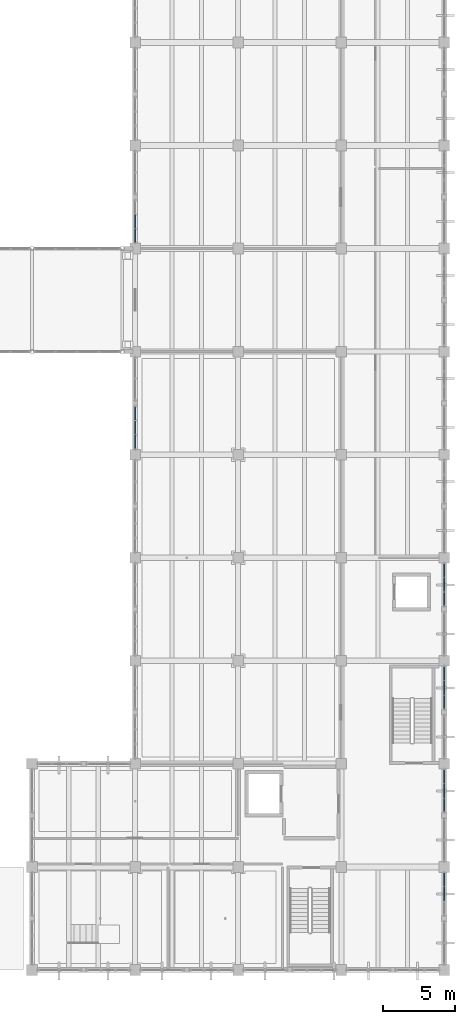
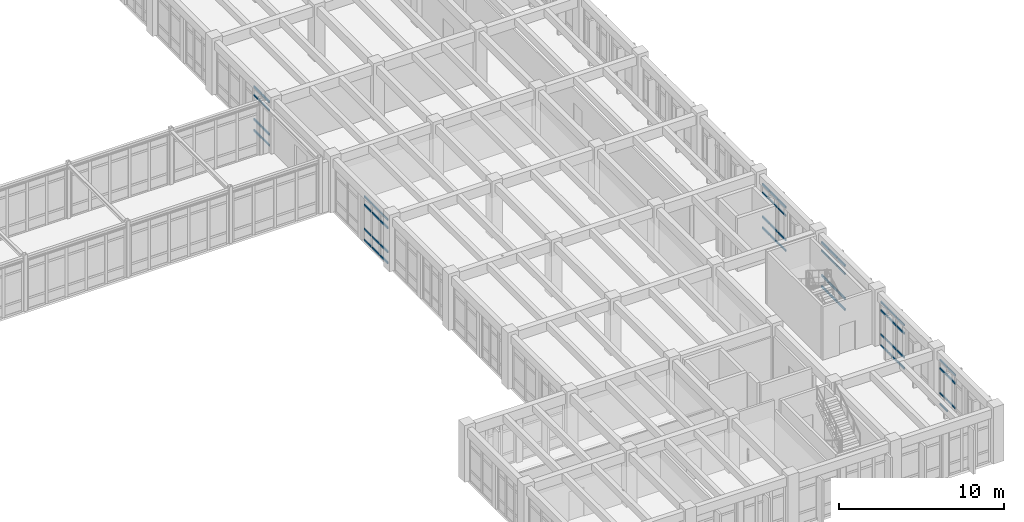
# One storey, part 72 of 136: 63 members, 6 elements without a shape of their own.
"""IFC4 building model written with IfcOpenShell, lengths in metres."""

from ifc_helpers import new_model, si_unit, direction, frame, origin, origin_2d, place, context, subcontext, project, spatial, rectangle, extrude, material, layer, layer_set, material_profile, profile_set, type_object, element, aggregate, save


model = new_model("IFC4")

# Units and contexts
model_context = context("Model", 3, precision=1e-05, world=origin(), true_north=direction((0.0, 1.0)))
body_context = subcontext(model_context, "Body", "Model", "MODEL_VIEW")
ifc_project = project(units=[si_unit("LENGTHUNIT", "METRE"), si_unit("AREAUNIT", "SQUARE_METRE"), si_unit("VOLUMEUNIT", "CUBIC_METRE"), si_unit("PLANEANGLEUNIT", "RADIAN"), si_unit("MASSUNIT", "GRAM", prefix="KILO")], contexts=[model_context])

# Site, building, storey
site_placement = place(None, origin())
site = spatial("IfcSite", under=ifc_project, at=site_placement, CompositionType="ELEMENT")
building_placement = place(site_placement, origin())
building = spatial("IfcBuilding", under=site, at=building_placement, Name="Koriwan Promenade Central Fire Station", CompositionType="ELEMENT")
storey_placement = place(building_placement, frame((0.0, 0.0, 5.39990234375)))
storey = spatial("IfcBuildingStorey", under=building, at=storey_placement, Name="L01", CompositionType="ELEMENT", Elevation=5.39990234375)

# Curtain wall, members
ifc_material_1 = material(Name="Aluminium EN AW-6063-T6 and low-E glazing", Category="aluminium")
ifc_layer_1 = layer(ifc_material_1, 0.159912109375, Name="Aluminium EN AW-6063-T6 and low-E glazing")
ifc_layer_set_1 = layer_set([ifc_layer_1], Name="Aluminium EN AW-6063-T6 and low-E glazing")
curtain_wall_type_1 = type_object("IfcCurtainWallType", Name="CurtainWall_62_302x329", PredefinedType="USERDEFINED", material=ifc_layer_set_1)
curtain_wall_1_placement = place(storey_placement, origin())
curtain_wall_1 = element("IfcCurtainWall", 1, at=curtain_wall_1_placement, inside=storey, type_object=curtain_wall_type_1, Name="V5 L01 unitised curtain wall 181", ObjectType="UNITISED CURTAIN WALL", PredefinedType="USERDEFINED")
ifc_material_2 = material(Name="Aluminium EN AW-6063-T6", Category="aluminium")
ifc_material_profile = material_profile(ifc_material_2, rectangle(XDim=0.074951171875, YDim=0.139892578125, at=origin_2d()), Name="ALU-TRN-75x140")
ifc_profile_set = profile_set([ifc_material_profile], Name="Aluminium EN AW-6063-T6")
member_type = type_object("IfcMemberType", Name="CWTransom_ALU-TRN-75x140", PredefinedType="USERDEFINED", material=ifc_profile_set)
member_1_placement = place(storey_placement, frame((151.199951171875, 36.449951171875, 0.03759765625), z_axis=(0.0, 1.0, 0.0), x_axis=(-1.0, 0.0, 0.0)))
member_1 = element("IfcMember", 2, at=member_1_placement, type_object=member_type, Name="CW-62 transom 1.1", ObjectType="TRANSOM", PredefinedType="USERDEFINED", context=body_context, shape_type="SweptSolid", body=[
    extrude(rectangle(XDim=0.074951171875, YDim=0.139892578125, at=origin_2d()), origin(), (0.0, 0.0, 1.0), 0.89599609375),
])
member_2_placement = place(storey_placement, frame((151.199951171875, 36.449951171875, 0.85009765625), z_axis=(0.0, 1.0, 0.0), x_axis=(-1.0, 0.0, 0.0)))
member_2 = element("IfcMember", 3, at=member_2_placement, type_object=member_type, Name="CW-62 transom 1.2", ObjectType="TRANSOM", PredefinedType="USERDEFINED", context=body_context, shape_type="SweptSolid", body=[
    extrude(rectangle(XDim=0.074951171875, YDim=0.139892578125, at=origin_2d()), origin(), (0.0, 0.0, 1.0), 0.89599609375),
])
member_3_placement = place(storey_placement, frame((151.199951171875, 36.449951171875, 2.64013671875), z_axis=(0.0, 1.0, 0.0), x_axis=(-1.0, 0.0, 0.0)))
member_3 = element("IfcMember", 4, at=member_3_placement, type_object=member_type, Name="CW-62 transom 1.3", ObjectType="TRANSOM", PredefinedType="USERDEFINED", context=body_context, shape_type="SweptSolid", body=[
    extrude(rectangle(XDim=0.074951171875, YDim=0.139892578125, at=origin_2d()), origin(), (0.0, 0.0, 1.0), 0.89599609375),
])
member_4_placement = place(storey_placement, frame((151.199951171875, 36.449951171875, 3.252685546875), z_axis=(0.0, 1.0, 0.0), x_axis=(-1.0, 0.0, 0.0)))
member_4 = element("IfcMember", 5, at=member_4_placement, type_object=member_type, Name="CW-62 transom 1.4", ObjectType="TRANSOM", PredefinedType="USERDEFINED", context=body_context, shape_type="SweptSolid", body=[
    extrude(rectangle(XDim=0.074951171875, YDim=0.139892578125, at=origin_2d()), origin(), (0.0, 0.0, 1.0), 0.89599609375),
])
member_5_placement = place(storey_placement, frame((151.199951171875, 37.4208984375, 0.03759765625), z_axis=(0.0, 1.0, 0.0), x_axis=(-1.0, 0.0, 0.0)))
member_5 = element("IfcMember", 6, at=member_5_placement, type_object=member_type, Name="CW-62 transom 2.1", ObjectType="TRANSOM", PredefinedType="USERDEFINED", context=body_context, shape_type="SweptSolid", body=[
    extrude(rectangle(XDim=0.074951171875, YDim=0.139892578125, at=origin_2d()), origin(), (0.0, 0.0, 1.0), 0.933349609375),
])
member_6_placement = place(storey_placement, frame((151.199951171875, 37.4208984375, 0.85009765625), z_axis=(0.0, 1.0, 0.0), x_axis=(-1.0, 0.0, 0.0)))
member_6 = element("IfcMember", 7, at=member_6_placement, type_object=member_type, Name="CW-62 transom 2.2", ObjectType="TRANSOM", PredefinedType="USERDEFINED", context=body_context, shape_type="SweptSolid", body=[
    extrude(rectangle(XDim=0.074951171875, YDim=0.139892578125, at=origin_2d()), origin(), (0.0, 0.0, 1.0), 0.933349609375),
])
member_7_placement = place(storey_placement, frame((151.199951171875, 37.4208984375, 2.64013671875), z_axis=(0.0, 1.0, 0.0), x_axis=(-1.0, 0.0, 0.0)))
member_7 = element("IfcMember", 8, at=member_7_placement, type_object=member_type, Name="CW-62 transom 2.3", ObjectType="TRANSOM", PredefinedType="USERDEFINED", context=body_context, shape_type="SweptSolid", body=[
    extrude(rectangle(XDim=0.074951171875, YDim=0.139892578125, at=origin_2d()), origin(), (0.0, 0.0, 1.0), 0.933349609375),
])
member_8_placement = place(storey_placement, frame((151.199951171875, 37.4208984375, 3.252685546875), z_axis=(0.0, 1.0, 0.0), x_axis=(-1.0, 0.0, 0.0)))
member_8 = element("IfcMember", 9, at=member_8_placement, type_object=member_type, Name="CW-62 transom 2.4", ObjectType="TRANSOM", PredefinedType="USERDEFINED", context=body_context, shape_type="SweptSolid", body=[
    extrude(rectangle(XDim=0.074951171875, YDim=0.139892578125, at=origin_2d()), origin(), (0.0, 0.0, 1.0), 0.933349609375),
])
member_9_placement = place(storey_placement, frame((151.199951171875, 38.42919921875, 0.03759765625), z_axis=(0.0, 1.0, 0.0), x_axis=(-1.0, 0.0, 0.0)))
member_9 = element("IfcMember", 10, at=member_9_placement, type_object=member_type, Name="CW-62 transom 3.1", ObjectType="TRANSOM", PredefinedType="USERDEFINED", context=body_context, shape_type="SweptSolid", body=[
    extrude(rectangle(XDim=0.074951171875, YDim=0.139892578125, at=origin_2d()), origin(), (0.0, 0.0, 1.0), 0.895751953125),
])
member_10_placement = place(storey_placement, frame((151.199951171875, 38.42919921875, 0.85009765625), z_axis=(0.0, 1.0, 0.0), x_axis=(-1.0, 0.0, 0.0)))
member_10 = element("IfcMember", 11, at=member_10_placement, type_object=member_type, Name="CW-62 transom 3.2", ObjectType="TRANSOM", PredefinedType="USERDEFINED", context=body_context, shape_type="SweptSolid", body=[
    extrude(rectangle(XDim=0.074951171875, YDim=0.139892578125, at=origin_2d()), origin(), (0.0, 0.0, 1.0), 0.895751953125),
])
member_11_placement = place(storey_placement, frame((151.199951171875, 38.42919921875, 2.64013671875), z_axis=(0.0, 1.0, 0.0), x_axis=(-1.0, 0.0, 0.0)))
member_11 = element("IfcMember", 12, at=member_11_placement, type_object=member_type, Name="CW-62 transom 3.3", ObjectType="TRANSOM", PredefinedType="USERDEFINED", context=body_context, shape_type="SweptSolid", body=[
    extrude(rectangle(XDim=0.074951171875, YDim=0.139892578125, at=origin_2d()), origin(), (0.0, 0.0, 1.0), 0.895751953125),
])
member_12_placement = place(storey_placement, frame((151.199951171875, 38.42919921875, 3.252685546875), z_axis=(0.0, 1.0, 0.0), x_axis=(-1.0, 0.0, 0.0)))
member_12 = element("IfcMember", 13, at=member_12_placement, type_object=member_type, Name="CW-62 transom 3.4", ObjectType="TRANSOM", PredefinedType="USERDEFINED", context=body_context, shape_type="SweptSolid", body=[
    extrude(rectangle(XDim=0.074951171875, YDim=0.139892578125, at=origin_2d()), origin(), (0.0, 0.0, 1.0), 0.895751953125),
])
aggregate(curtain_wall_1, [member_1, member_2, member_3, member_4, member_5, member_6, member_7, member_8, member_9, member_10, member_11, member_12])

curtain_wall_2_placement = place(storey_placement, origin())
curtain_wall_2 = element("IfcCurtainWall", 14, at=curtain_wall_2_placement, inside=storey, type_object=curtain_wall_type_1, Name="V5 L01 unitised curtain wall 183", ObjectType="UNITISED CURTAIN WALL", PredefinedType="USERDEFINED")
member_13_placement = place(storey_placement, frame((151.199951171875, 50.85009765625, 0.03759765625), z_axis=(0.0, 1.0, 0.0), x_axis=(-1.0, 0.0, 0.0)))
member_13 = element("IfcMember", 15, at=member_13_placement, type_object=member_type, Name="CW-62 transom 1.1", ObjectType="TRANSOM", PredefinedType="USERDEFINED", context=body_context, shape_type="SweptSolid", body=[
    extrude(rectangle(XDim=0.074951171875, YDim=0.139892578125, at=origin_2d()), origin(), (0.0, 0.0, 1.0), 0.895751953125),
])
member_14_placement = place(storey_placement, frame((151.199951171875, 50.85009765625, 0.85009765625), z_axis=(0.0, 1.0, 0.0), x_axis=(-1.0, 0.0, 0.0)))
member_14 = element("IfcMember", 16, at=member_14_placement, type_object=member_type, Name="CW-62 transom 1.2", ObjectType="TRANSOM", PredefinedType="USERDEFINED", context=body_context, shape_type="SweptSolid", body=[
    extrude(rectangle(XDim=0.074951171875, YDim=0.139892578125, at=origin_2d()), origin(), (0.0, 0.0, 1.0), 0.895751953125),
])
member_15_placement = place(storey_placement, frame((151.199951171875, 50.85009765625, 2.64013671875), z_axis=(0.0, 1.0, 0.0), x_axis=(-1.0, 0.0, 0.0)))
member_15 = element("IfcMember", 17, at=member_15_placement, type_object=member_type, Name="CW-62 transom 1.3", ObjectType="TRANSOM", PredefinedType="USERDEFINED", context=body_context, shape_type="SweptSolid", body=[
    extrude(rectangle(XDim=0.074951171875, YDim=0.139892578125, at=origin_2d()), origin(), (0.0, 0.0, 1.0), 0.895751953125),
])
member_16_placement = place(storey_placement, frame((151.199951171875, 50.85009765625, 3.252685546875), z_axis=(0.0, 1.0, 0.0), x_axis=(-1.0, 0.0, 0.0)))
member_16 = element("IfcMember", 18, at=member_16_placement, type_object=member_type, Name="CW-62 transom 1.4", ObjectType="TRANSOM", PredefinedType="USERDEFINED", context=body_context, shape_type="SweptSolid", body=[
    extrude(rectangle(XDim=0.074951171875, YDim=0.139892578125, at=origin_2d()), origin(), (0.0, 0.0, 1.0), 0.895751953125),
])
member_17_placement = place(storey_placement, frame((151.199951171875, 51.82080078125, 0.03759765625), z_axis=(0.0, 1.0, 0.0), x_axis=(-1.0, 0.0, 0.0)))
member_17 = element("IfcMember", 19, at=member_17_placement, type_object=member_type, Name="CW-62 transom 2.1", ObjectType="TRANSOM", PredefinedType="USERDEFINED", context=body_context, shape_type="SweptSolid", body=[
    extrude(rectangle(XDim=0.074951171875, YDim=0.139892578125, at=origin_2d()), origin(), (0.0, 0.0, 1.0), 0.933349609375),
])
member_18_placement = place(storey_placement, frame((151.199951171875, 51.82080078125, 0.85009765625), z_axis=(0.0, 1.0, 0.0), x_axis=(-1.0, 0.0, 0.0)))
member_18 = element("IfcMember", 20, at=member_18_placement, type_object=member_type, Name="CW-62 transom 2.2", ObjectType="TRANSOM", PredefinedType="USERDEFINED", context=body_context, shape_type="SweptSolid", body=[
    extrude(rectangle(XDim=0.074951171875, YDim=0.139892578125, at=origin_2d()), origin(), (0.0, 0.0, 1.0), 0.933349609375),
])
member_19_placement = place(storey_placement, frame((151.199951171875, 51.82080078125, 2.64013671875), z_axis=(0.0, 1.0, 0.0), x_axis=(-1.0, 0.0, 0.0)))
member_19 = element("IfcMember", 21, at=member_19_placement, type_object=member_type, Name="CW-62 transom 2.3", ObjectType="TRANSOM", PredefinedType="USERDEFINED", context=body_context, shape_type="SweptSolid", body=[
    extrude(rectangle(XDim=0.074951171875, YDim=0.139892578125, at=origin_2d()), origin(), (0.0, 0.0, 1.0), 0.933349609375),
])
member_20_placement = place(storey_placement, frame((151.199951171875, 51.82080078125, 3.252685546875), z_axis=(0.0, 1.0, 0.0), x_axis=(-1.0, 0.0, 0.0)))
member_20 = element("IfcMember", 22, at=member_20_placement, type_object=member_type, Name="CW-62 transom 2.4", ObjectType="TRANSOM", PredefinedType="USERDEFINED", context=body_context, shape_type="SweptSolid", body=[
    extrude(rectangle(XDim=0.074951171875, YDim=0.139892578125, at=origin_2d()), origin(), (0.0, 0.0, 1.0), 0.933349609375),
])
aggregate(curtain_wall_2, [member_13, member_14, member_15, member_16, member_17, member_18, member_19, member_20])

ifc_layer_2 = layer(ifc_material_1, 0.159912109375, Name="Aluminium EN AW-6063-T6 and low-E glazing")
ifc_layer_set_2 = layer_set([ifc_layer_2], Name="Aluminium EN AW-6063-T6 and low-E glazing")
curtain_wall_type_2 = type_object("IfcCurtainWallType", Name="CurtainWall_61_303x329", PredefinedType="USERDEFINED", material=ifc_layer_set_2)
curtain_wall_3_placement = place(storey_placement, origin())
curtain_wall_3 = element("IfcCurtainWall", 23, at=curtain_wall_3_placement, inside=storey, type_object=curtain_wall_type_2, Name="V5 L01 unitised curtain wall 201", ObjectType="UNITISED CURTAIN WALL", PredefinedType="USERDEFINED")
member_21_placement = place(storey_placement, frame((172.800048828125, 28.35009765625, 0.03759765625), z_axis=(0.0, -1.0, 0.0), x_axis=(1.0, 0.0, 0.0)))
member_21 = element("IfcMember", 24, at=member_21_placement, type_object=member_type, Name="CW-61 transom 1.1", ObjectType="TRANSOM", PredefinedType="USERDEFINED", context=body_context, shape_type="SweptSolid", body=[
    extrude(rectangle(XDim=0.074951171875, YDim=0.139892578125, at=origin_2d()), origin(), (0.0, 0.0, 1.0), 0.89599609375),
])
member_22_placement = place(storey_placement, frame((172.800048828125, 28.35009765625, 0.85009765625), z_axis=(0.0, -1.0, 0.0), x_axis=(1.0, 0.0, 0.0)))
member_22 = element("IfcMember", 25, at=member_22_placement, type_object=member_type, Name="CW-61 transom 1.2", ObjectType="TRANSOM", PredefinedType="USERDEFINED", context=body_context, shape_type="SweptSolid", body=[
    extrude(rectangle(XDim=0.074951171875, YDim=0.139892578125, at=origin_2d()), origin(), (0.0, 0.0, 1.0), 0.89599609375),
])
member_23_placement = place(storey_placement, frame((172.800048828125, 28.35009765625, 2.64013671875), z_axis=(0.0, -1.0, 0.0), x_axis=(1.0, 0.0, 0.0)))
member_23 = element("IfcMember", 26, at=member_23_placement, type_object=member_type, Name="CW-61 transom 1.3", ObjectType="TRANSOM", PredefinedType="USERDEFINED", context=body_context, shape_type="SweptSolid", body=[
    extrude(rectangle(XDim=0.074951171875, YDim=0.139892578125, at=origin_2d()), origin(), (0.0, 0.0, 1.0), 0.89599609375),
])
member_24_placement = place(storey_placement, frame((172.800048828125, 28.35009765625, 3.252685546875), z_axis=(0.0, -1.0, 0.0), x_axis=(1.0, 0.0, 0.0)))
member_24 = element("IfcMember", 27, at=member_24_placement, type_object=member_type, Name="CW-61 transom 1.4", ObjectType="TRANSOM", PredefinedType="USERDEFINED", context=body_context, shape_type="SweptSolid", body=[
    extrude(rectangle(XDim=0.074951171875, YDim=0.139892578125, at=origin_2d()), origin(), (0.0, 0.0, 1.0), 0.89599609375),
])
member_25_placement = place(storey_placement, frame((172.800048828125, 27.379150390625, 0.03759765625), z_axis=(0.0, -1.0, 0.0), x_axis=(1.0, 0.0, 0.0)))
member_25 = element("IfcMember", 28, at=member_25_placement, type_object=member_type, Name="CW-61 transom 2.1", ObjectType="TRANSOM", PredefinedType="USERDEFINED", context=body_context, shape_type="SweptSolid", body=[
    extrude(rectangle(XDim=0.074951171875, YDim=0.139892578125, at=origin_2d()), origin(), (0.0, 0.0, 1.0), 0.933349609375),
])
member_26_placement = place(storey_placement, frame((172.800048828125, 27.379150390625, 0.85009765625), z_axis=(0.0, -1.0, 0.0), x_axis=(1.0, 0.0, 0.0)))
member_26 = element("IfcMember", 29, at=member_26_placement, type_object=member_type, Name="CW-61 transom 2.2", ObjectType="TRANSOM", PredefinedType="USERDEFINED", context=body_context, shape_type="SweptSolid", body=[
    extrude(rectangle(XDim=0.074951171875, YDim=0.139892578125, at=origin_2d()), origin(), (0.0, 0.0, 1.0), 0.933349609375),
])
member_27_placement = place(storey_placement, frame((172.800048828125, 27.379150390625, 2.64013671875), z_axis=(0.0, -1.0, 0.0), x_axis=(1.0, 0.0, 0.0)))
member_27 = element("IfcMember", 30, at=member_27_placement, type_object=member_type, Name="CW-61 transom 2.3", ObjectType="TRANSOM", PredefinedType="USERDEFINED", context=body_context, shape_type="SweptSolid", body=[
    extrude(rectangle(XDim=0.074951171875, YDim=0.139892578125, at=origin_2d()), origin(), (0.0, 0.0, 1.0), 0.933349609375),
])
member_28_placement = place(storey_placement, frame((172.800048828125, 27.379150390625, 3.252685546875), z_axis=(0.0, -1.0, 0.0), x_axis=(1.0, 0.0, 0.0)))
member_28 = element("IfcMember", 31, at=member_28_placement, type_object=member_type, Name="CW-61 transom 2.4", ObjectType="TRANSOM", PredefinedType="USERDEFINED", context=body_context, shape_type="SweptSolid", body=[
    extrude(rectangle(XDim=0.074951171875, YDim=0.139892578125, at=origin_2d()), origin(), (0.0, 0.0, 1.0), 0.933349609375),
])
member_29_placement = place(storey_placement, frame((172.800048828125, 26.370849609375, 0.03759765625), z_axis=(0.0, -1.0, 0.0), x_axis=(1.0, 0.0, 0.0)))
member_29 = element("IfcMember", 32, at=member_29_placement, type_object=member_type, Name="CW-61 transom 3.1", ObjectType="TRANSOM", PredefinedType="USERDEFINED", context=body_context, shape_type="SweptSolid", body=[
    extrude(rectangle(XDim=0.074951171875, YDim=0.139892578125, at=origin_2d()), origin(), (0.0, 0.0, 1.0), 0.895751953125),
])
member_30_placement = place(storey_placement, frame((172.800048828125, 26.370849609375, 0.85009765625), z_axis=(0.0, -1.0, 0.0), x_axis=(1.0, 0.0, 0.0)))
member_30 = element("IfcMember", 33, at=member_30_placement, type_object=member_type, Name="CW-61 transom 3.2", ObjectType="TRANSOM", PredefinedType="USERDEFINED", context=body_context, shape_type="SweptSolid", body=[
    extrude(rectangle(XDim=0.074951171875, YDim=0.139892578125, at=origin_2d()), origin(), (0.0, 0.0, 1.0), 0.895751953125),
])
member_31_placement = place(storey_placement, frame((172.800048828125, 26.370849609375, 2.64013671875), z_axis=(0.0, -1.0, 0.0), x_axis=(1.0, 0.0, 0.0)))
member_31 = element("IfcMember", 34, at=member_31_placement, type_object=member_type, Name="CW-61 transom 3.3", ObjectType="TRANSOM", PredefinedType="USERDEFINED", context=body_context, shape_type="SweptSolid", body=[
    extrude(rectangle(XDim=0.074951171875, YDim=0.139892578125, at=origin_2d()), origin(), (0.0, 0.0, 1.0), 0.895751953125),
])
member_32_placement = place(storey_placement, frame((172.800048828125, 26.370849609375, 3.252685546875), z_axis=(0.0, -1.0, 0.0), x_axis=(1.0, 0.0, 0.0)))
member_32 = element("IfcMember", 35, at=member_32_placement, type_object=member_type, Name="CW-61 transom 3.4", ObjectType="TRANSOM", PredefinedType="USERDEFINED", context=body_context, shape_type="SweptSolid", body=[
    extrude(rectangle(XDim=0.074951171875, YDim=0.139892578125, at=origin_2d()), origin(), (0.0, 0.0, 1.0), 0.895751953125),
])
aggregate(curtain_wall_3, [member_21, member_22, member_23, member_24, member_25, member_26, member_27, member_28, member_29, member_30, member_31, member_32])

ifc_layer_3 = layer(ifc_material_1, 0.159912109375, Name="Aluminium EN AW-6063-T6 and low-E glazing")
ifc_layer_set_3 = layer_set([ifc_layer_3], Name="Aluminium EN AW-6063-T6 and low-E glazing")
curtain_wall_type_3 = type_object("IfcCurtainWallType", Name="CurtainWall_67_303x334", PredefinedType="USERDEFINED", material=ifc_layer_set_3)
curtain_wall_4_placement = place(storey_placement, origin())
curtain_wall_4 = element("IfcCurtainWall", 36, at=curtain_wall_4_placement, inside=storey, type_object=curtain_wall_type_3, Name="V5 L01 unitised curtain wall 203", ObjectType="UNITISED CURTAIN WALL", PredefinedType="USERDEFINED")
member_33_placement = place(storey_placement, frame((172.800048828125, 21.14990234375, 0.03759765625), z_axis=(0.0, -1.0, 0.0), x_axis=(1.0, 0.0, 0.0)))
member_33 = element("IfcMember", 37, at=member_33_placement, type_object=member_type, Name="CW-67 transom 1.1", ObjectType="TRANSOM", PredefinedType="USERDEFINED", context=body_context, shape_type="SweptSolid", body=[
    extrude(rectangle(XDim=0.074951171875, YDim=0.139892578125, at=origin_2d()), origin(), (0.0, 0.0, 1.0), 0.895751953125),
])
member_34_placement = place(storey_placement, frame((172.800048828125, 21.14990234375, 0.85009765625), z_axis=(0.0, -1.0, 0.0), x_axis=(1.0, 0.0, 0.0)))
member_34 = element("IfcMember", 38, at=member_34_placement, type_object=member_type, Name="CW-67 transom 1.2", ObjectType="TRANSOM", PredefinedType="USERDEFINED", context=body_context, shape_type="SweptSolid", body=[
    extrude(rectangle(XDim=0.074951171875, YDim=0.139892578125, at=origin_2d()), origin(), (0.0, 0.0, 1.0), 0.895751953125),
])
member_35_placement = place(storey_placement, frame((172.800048828125, 21.14990234375, 2.690185546875), z_axis=(0.0, -1.0, 0.0), x_axis=(1.0, 0.0, 0.0)))
member_35 = element("IfcMember", 39, at=member_35_placement, type_object=member_type, Name="CW-67 transom 1.3", ObjectType="TRANSOM", PredefinedType="USERDEFINED", context=body_context, shape_type="SweptSolid", body=[
    extrude(rectangle(XDim=0.074951171875, YDim=0.139892578125, at=origin_2d()), origin(), (0.0, 0.0, 1.0), 0.895751953125),
])
member_36_placement = place(storey_placement, frame((172.800048828125, 21.14990234375, 3.302490234375), z_axis=(0.0, -1.0, 0.0), x_axis=(1.0, 0.0, 0.0)))
member_36 = element("IfcMember", 40, at=member_36_placement, type_object=member_type, Name="CW-67 transom 1.4", ObjectType="TRANSOM", PredefinedType="USERDEFINED", context=body_context, shape_type="SweptSolid", body=[
    extrude(rectangle(XDim=0.074951171875, YDim=0.139892578125, at=origin_2d()), origin(), (0.0, 0.0, 1.0), 0.895751953125),
])
member_37_placement = place(storey_placement, frame((172.800048828125, 20.17919921875, 0.03759765625), z_axis=(0.0, -1.0, 0.0), x_axis=(1.0, 0.0, 0.0)))
member_37 = element("IfcMember", 41, at=member_37_placement, type_object=member_type, Name="CW-67 transom 2.1", ObjectType="TRANSOM", PredefinedType="USERDEFINED", context=body_context, shape_type="SweptSolid", body=[
    extrude(rectangle(XDim=0.074951171875, YDim=0.139892578125, at=origin_2d()), origin(), (0.0, 0.0, 1.0), 0.933349609375),
])
member_38_placement = place(storey_placement, frame((172.800048828125, 20.17919921875, 0.85009765625), z_axis=(0.0, -1.0, 0.0), x_axis=(1.0, 0.0, 0.0)))
member_38 = element("IfcMember", 42, at=member_38_placement, type_object=member_type, Name="CW-67 transom 2.2", ObjectType="TRANSOM", PredefinedType="USERDEFINED", context=body_context, shape_type="SweptSolid", body=[
    extrude(rectangle(XDim=0.074951171875, YDim=0.139892578125, at=origin_2d()), origin(), (0.0, 0.0, 1.0), 0.933349609375),
])
member_39_placement = place(storey_placement, frame((172.800048828125, 20.17919921875, 2.690185546875), z_axis=(0.0, -1.0, 0.0), x_axis=(1.0, 0.0, 0.0)))
member_39 = element("IfcMember", 43, at=member_39_placement, type_object=member_type, Name="CW-67 transom 2.3", ObjectType="TRANSOM", PredefinedType="USERDEFINED", context=body_context, shape_type="SweptSolid", body=[
    extrude(rectangle(XDim=0.074951171875, YDim=0.139892578125, at=origin_2d()), origin(), (0.0, 0.0, 1.0), 0.933349609375),
])
member_40_placement = place(storey_placement, frame((172.800048828125, 20.17919921875, 3.302490234375), z_axis=(0.0, -1.0, 0.0), x_axis=(1.0, 0.0, 0.0)))
member_40 = element("IfcMember", 44, at=member_40_placement, type_object=member_type, Name="CW-67 transom 2.4", ObjectType="TRANSOM", PredefinedType="USERDEFINED", context=body_context, shape_type="SweptSolid", body=[
    extrude(rectangle(XDim=0.074951171875, YDim=0.139892578125, at=origin_2d()), origin(), (0.0, 0.0, 1.0), 0.933349609375),
])
member_41_placement = place(storey_placement, frame((172.800048828125, 19.1708984375, 0.03759765625), z_axis=(0.0, -1.0, 0.0), x_axis=(1.0, 0.0, 0.0)))
member_41 = element("IfcMember", 45, at=member_41_placement, type_object=member_type, Name="CW-67 transom 3.1", ObjectType="TRANSOM", PredefinedType="USERDEFINED", context=body_context, shape_type="SweptSolid", body=[
    extrude(rectangle(XDim=0.074951171875, YDim=0.139892578125, at=origin_2d()), origin(), (0.0, 0.0, 1.0), 0.89599609375),
])
member_42_placement = place(storey_placement, frame((172.800048828125, 19.1708984375, 0.85009765625), z_axis=(0.0, -1.0, 0.0), x_axis=(1.0, 0.0, 0.0)))
member_42 = element("IfcMember", 46, at=member_42_placement, type_object=member_type, Name="CW-67 transom 3.2", ObjectType="TRANSOM", PredefinedType="USERDEFINED", context=body_context, shape_type="SweptSolid", body=[
    extrude(rectangle(XDim=0.074951171875, YDim=0.139892578125, at=origin_2d()), origin(), (0.0, 0.0, 1.0), 0.89599609375),
])
member_43_placement = place(storey_placement, frame((172.800048828125, 19.1708984375, 2.690185546875), z_axis=(0.0, -1.0, 0.0), x_axis=(1.0, 0.0, 0.0)))
member_43 = element("IfcMember", 47, at=member_43_placement, type_object=member_type, Name="CW-67 transom 3.3", ObjectType="TRANSOM", PredefinedType="USERDEFINED", context=body_context, shape_type="SweptSolid", body=[
    extrude(rectangle(XDim=0.074951171875, YDim=0.139892578125, at=origin_2d()), origin(), (0.0, 0.0, 1.0), 0.89599609375),
])
member_44_placement = place(storey_placement, frame((172.800048828125, 19.1708984375, 3.302490234375), z_axis=(0.0, -1.0, 0.0), x_axis=(1.0, 0.0, 0.0)))
member_44 = element("IfcMember", 48, at=member_44_placement, type_object=member_type, Name="CW-67 transom 3.4", ObjectType="TRANSOM", PredefinedType="USERDEFINED", context=body_context, shape_type="SweptSolid", body=[
    extrude(rectangle(XDim=0.074951171875, YDim=0.139892578125, at=origin_2d()), origin(), (0.0, 0.0, 1.0), 0.89599609375),
])
aggregate(curtain_wall_4, [member_33, member_34, member_35, member_36, member_37, member_38, member_39, member_40, member_41, member_42, member_43, member_44])

curtain_wall_5_placement = place(storey_placement, origin())
curtain_wall_5 = element("IfcCurtainWall", 49, at=curtain_wall_5_placement, inside=storey, type_object=curtain_wall_type_2, Name="V5 L01 unitised curtain wall 205", ObjectType="UNITISED CURTAIN WALL", PredefinedType="USERDEFINED")
member_45_placement = place(storey_placement, frame((172.800048828125, 13.949951171875, 0.03759765625), z_axis=(0.0, -1.0, 0.0), x_axis=(1.0, 0.0, 0.0)))
member_45 = element("IfcMember", 50, at=member_45_placement, type_object=member_type, Name="CW-61 transom 1.1", ObjectType="TRANSOM", PredefinedType="USERDEFINED", context=body_context, shape_type="SweptSolid", body=[
    extrude(rectangle(XDim=0.074951171875, YDim=0.139892578125, at=origin_2d()), origin(), (0.0, 0.0, 1.0), 0.895751953125),
])
member_46_placement = place(storey_placement, frame((172.800048828125, 13.949951171875, 0.85009765625), z_axis=(0.0, -1.0, 0.0), x_axis=(1.0, 0.0, 0.0)))
member_46 = element("IfcMember", 51, at=member_46_placement, type_object=member_type, Name="CW-61 transom 1.2", ObjectType="TRANSOM", PredefinedType="USERDEFINED", context=body_context, shape_type="SweptSolid", body=[
    extrude(rectangle(XDim=0.074951171875, YDim=0.139892578125, at=origin_2d()), origin(), (0.0, 0.0, 1.0), 0.895751953125),
])
member_47_placement = place(storey_placement, frame((172.800048828125, 13.949951171875, 2.64013671875), z_axis=(0.0, -1.0, 0.0), x_axis=(1.0, 0.0, 0.0)))
member_47 = element("IfcMember", 52, at=member_47_placement, type_object=member_type, Name="CW-61 transom 1.3", ObjectType="TRANSOM", PredefinedType="USERDEFINED", context=body_context, shape_type="SweptSolid", body=[
    extrude(rectangle(XDim=0.074951171875, YDim=0.139892578125, at=origin_2d()), origin(), (0.0, 0.0, 1.0), 0.895751953125),
])
member_48_placement = place(storey_placement, frame((172.800048828125, 13.949951171875, 3.252685546875), z_axis=(0.0, -1.0, 0.0), x_axis=(1.0, 0.0, 0.0)))
member_48 = element("IfcMember", 53, at=member_48_placement, type_object=member_type, Name="CW-61 transom 1.4", ObjectType="TRANSOM", PredefinedType="USERDEFINED", context=body_context, shape_type="SweptSolid", body=[
    extrude(rectangle(XDim=0.074951171875, YDim=0.139892578125, at=origin_2d()), origin(), (0.0, 0.0, 1.0), 0.895751953125),
])
member_49_placement = place(storey_placement, frame((172.800048828125, 12.979248046875, 0.03759765625), z_axis=(0.0, -1.0, 0.0), x_axis=(1.0, 0.0, 0.0)))
member_49 = element("IfcMember", 54, at=member_49_placement, type_object=member_type, Name="CW-61 transom 2.1", ObjectType="TRANSOM", PredefinedType="USERDEFINED", context=body_context, shape_type="SweptSolid", body=[
    extrude(rectangle(XDim=0.074951171875, YDim=0.139892578125, at=origin_2d()), origin(), (0.0, 0.0, 1.0), 0.933349609375),
])
member_50_placement = place(storey_placement, frame((172.800048828125, 12.979248046875, 0.85009765625), z_axis=(0.0, -1.0, 0.0), x_axis=(1.0, 0.0, 0.0)))
member_50 = element("IfcMember", 55, at=member_50_placement, type_object=member_type, Name="CW-61 transom 2.2", ObjectType="TRANSOM", PredefinedType="USERDEFINED", context=body_context, shape_type="SweptSolid", body=[
    extrude(rectangle(XDim=0.074951171875, YDim=0.139892578125, at=origin_2d()), origin(), (0.0, 0.0, 1.0), 0.933349609375),
])
member_51_placement = place(storey_placement, frame((172.800048828125, 12.979248046875, 2.64013671875), z_axis=(0.0, -1.0, 0.0), x_axis=(1.0, 0.0, 0.0)))
member_51 = element("IfcMember", 56, at=member_51_placement, type_object=member_type, Name="CW-61 transom 2.3", ObjectType="TRANSOM", PredefinedType="USERDEFINED", context=body_context, shape_type="SweptSolid", body=[
    extrude(rectangle(XDim=0.074951171875, YDim=0.139892578125, at=origin_2d()), origin(), (0.0, 0.0, 1.0), 0.933349609375),
])
member_52_placement = place(storey_placement, frame((172.800048828125, 12.979248046875, 3.252685546875), z_axis=(0.0, -1.0, 0.0), x_axis=(1.0, 0.0, 0.0)))
member_52 = element("IfcMember", 57, at=member_52_placement, type_object=member_type, Name="CW-61 transom 2.4", ObjectType="TRANSOM", PredefinedType="USERDEFINED", context=body_context, shape_type="SweptSolid", body=[
    extrude(rectangle(XDim=0.074951171875, YDim=0.139892578125, at=origin_2d()), origin(), (0.0, 0.0, 1.0), 0.933349609375),
])
member_53_placement = place(storey_placement, frame((172.800048828125, 11.970947265625, 0.03759765625), z_axis=(0.0, -1.0, 0.0), x_axis=(1.0, 0.0, 0.0)))
member_53 = element("IfcMember", 58, at=member_53_placement, type_object=member_type, Name="CW-61 transom 3.1", ObjectType="TRANSOM", PredefinedType="USERDEFINED", context=body_context, shape_type="SweptSolid", body=[
    extrude(rectangle(XDim=0.074951171875, YDim=0.139892578125, at=origin_2d()), origin(), (0.0, 0.0, 1.0), 0.89599609375),
])
member_54_placement = place(storey_placement, frame((172.800048828125, 11.970947265625, 0.85009765625), z_axis=(0.0, -1.0, 0.0), x_axis=(1.0, 0.0, 0.0)))
member_54 = element("IfcMember", 59, at=member_54_placement, type_object=member_type, Name="CW-61 transom 3.2", ObjectType="TRANSOM", PredefinedType="USERDEFINED", context=body_context, shape_type="SweptSolid", body=[
    extrude(rectangle(XDim=0.074951171875, YDim=0.139892578125, at=origin_2d()), origin(), (0.0, 0.0, 1.0), 0.89599609375),
])
member_55_placement = place(storey_placement, frame((172.800048828125, 11.970947265625, 2.64013671875), z_axis=(0.0, -1.0, 0.0), x_axis=(1.0, 0.0, 0.0)))
member_55 = element("IfcMember", 60, at=member_55_placement, type_object=member_type, Name="CW-61 transom 3.3", ObjectType="TRANSOM", PredefinedType="USERDEFINED", context=body_context, shape_type="SweptSolid", body=[
    extrude(rectangle(XDim=0.074951171875, YDim=0.139892578125, at=origin_2d()), origin(), (0.0, 0.0, 1.0), 0.89599609375),
])
member_56_placement = place(storey_placement, frame((172.800048828125, 11.970947265625, 3.252685546875), z_axis=(0.0, -1.0, 0.0), x_axis=(1.0, 0.0, 0.0)))
member_56 = element("IfcMember", 61, at=member_56_placement, type_object=member_type, Name="CW-61 transom 3.4", ObjectType="TRANSOM", PredefinedType="USERDEFINED", context=body_context, shape_type="SweptSolid", body=[
    extrude(rectangle(XDim=0.074951171875, YDim=0.139892578125, at=origin_2d()), origin(), (0.0, 0.0, 1.0), 0.89599609375),
])
aggregate(curtain_wall_5, [member_45, member_46, member_47, member_48, member_49, member_50, member_51, member_52, member_53, member_54, member_55, member_56])

curtain_wall_6_placement = place(storey_placement, origin())
curtain_wall_6 = element("IfcCurtainWall", 62, at=curtain_wall_6_placement, inside=storey, type_object=curtain_wall_type_3, Name="V5 L01 unitised curtain wall 207", ObjectType="UNITISED CURTAIN WALL", PredefinedType="USERDEFINED")
member_57_placement = place(storey_placement, frame((172.800048828125, 6.75, 0.03759765625), z_axis=(0.0, -1.0, 0.0), x_axis=(1.0, 0.0, 0.0)))
member_57 = element("IfcMember", 63, at=member_57_placement, type_object=member_type, Name="CW-67 transom 1.1", ObjectType="TRANSOM", PredefinedType="USERDEFINED", context=body_context, shape_type="SweptSolid", body=[
    extrude(rectangle(XDim=0.074951171875, YDim=0.139892578125, at=origin_2d()), origin(), (0.0, 0.0, 1.0), 0.895751953125),
])
member_58_placement = place(storey_placement, frame((172.800048828125, 6.75, 0.85009765625), z_axis=(0.0, -1.0, 0.0), x_axis=(1.0, 0.0, 0.0)))
member_58 = element("IfcMember", 64, at=member_58_placement, type_object=member_type, Name="CW-67 transom 1.2", ObjectType="TRANSOM", PredefinedType="USERDEFINED", context=body_context, shape_type="SweptSolid", body=[
    extrude(rectangle(XDim=0.074951171875, YDim=0.139892578125, at=origin_2d()), origin(), (0.0, 0.0, 1.0), 0.895751953125),
])
member_59_placement = place(storey_placement, frame((172.800048828125, 6.75, 2.690185546875), z_axis=(0.0, -1.0, 0.0), x_axis=(1.0, 0.0, 0.0)))
member_59 = element("IfcMember", 65, at=member_59_placement, type_object=member_type, Name="CW-67 transom 1.3", ObjectType="TRANSOM", PredefinedType="USERDEFINED", context=body_context, shape_type="SweptSolid", body=[
    extrude(rectangle(XDim=0.074951171875, YDim=0.139892578125, at=origin_2d()), origin(), (0.0, 0.0, 1.0), 0.895751953125),
])
member_60_placement = place(storey_placement, frame((172.800048828125, 6.75, 3.302490234375), z_axis=(0.0, -1.0, 0.0), x_axis=(1.0, 0.0, 0.0)))
member_60 = element("IfcMember", 66, at=member_60_placement, type_object=member_type, Name="CW-67 transom 1.4", ObjectType="TRANSOM", PredefinedType="USERDEFINED", context=body_context, shape_type="SweptSolid", body=[
    extrude(rectangle(XDim=0.074951171875, YDim=0.139892578125, at=origin_2d()), origin(), (0.0, 0.0, 1.0), 0.895751953125),
])
member_61_placement = place(storey_placement, frame((172.800048828125, 5.779052734375, 0.85009765625), z_axis=(0.0, -1.0, 0.0), x_axis=(1.0, 0.0, 0.0)))
member_61 = element("IfcMember", 67, at=member_61_placement, type_object=member_type, Name="CW-67 transom 2.2", ObjectType="TRANSOM", PredefinedType="USERDEFINED", context=body_context, shape_type="SweptSolid", body=[
    extrude(rectangle(XDim=0.074951171875, YDim=0.139892578125, at=origin_2d()), origin(), (0.0, 0.0, 1.0), 0.93310546875),
])
member_62_placement = place(storey_placement, frame((172.800048828125, 5.779052734375, 2.690185546875), z_axis=(0.0, -1.0, 0.0), x_axis=(1.0, 0.0, 0.0)))
member_62 = element("IfcMember", 68, at=member_62_placement, type_object=member_type, Name="CW-67 transom 2.3", ObjectType="TRANSOM", PredefinedType="USERDEFINED", context=body_context, shape_type="SweptSolid", body=[
    extrude(rectangle(XDim=0.074951171875, YDim=0.139892578125, at=origin_2d()), origin(), (0.0, 0.0, 1.0), 0.93310546875),
])
member_63_placement = place(storey_placement, frame((172.800048828125, 5.779052734375, 3.302490234375), z_axis=(0.0, -1.0, 0.0), x_axis=(1.0, 0.0, 0.0)))
member_63 = element("IfcMember", 69, at=member_63_placement, type_object=member_type, Name="CW-67 transom 2.4", ObjectType="TRANSOM", PredefinedType="USERDEFINED", context=body_context, shape_type="SweptSolid", body=[
    extrude(rectangle(XDim=0.074951171875, YDim=0.139892578125, at=origin_2d()), origin(), (0.0, 0.0, 1.0), 0.93310546875),
])
aggregate(curtain_wall_6, [member_57, member_58, member_59, member_60, member_61, member_62, member_63])

save(model, "model.ifc")
